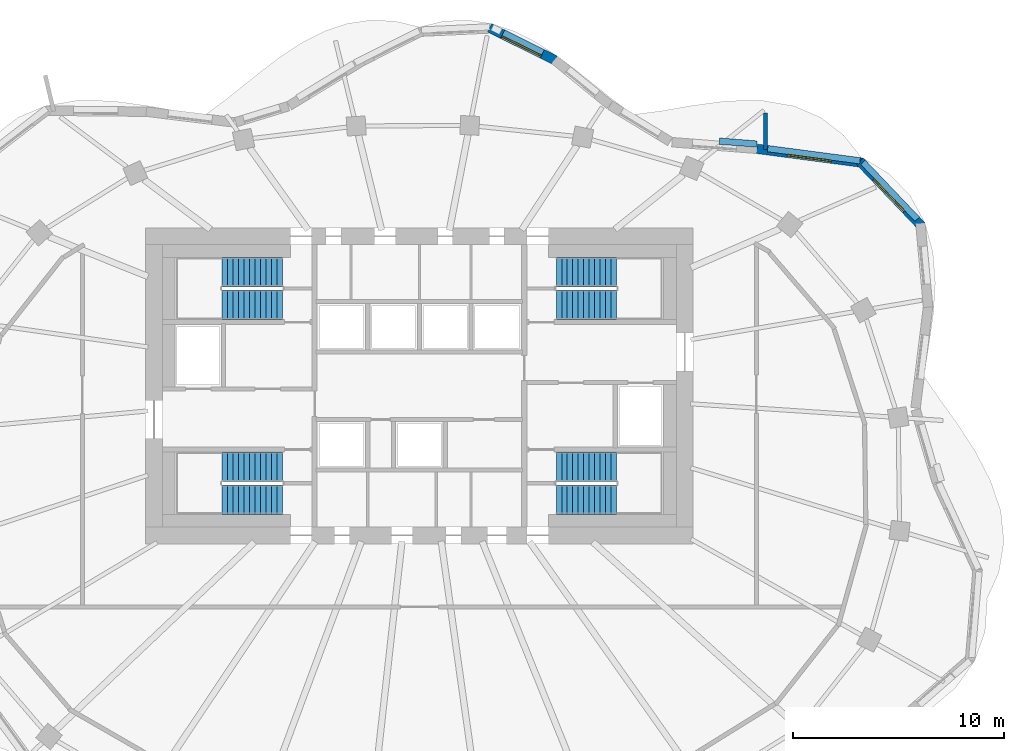
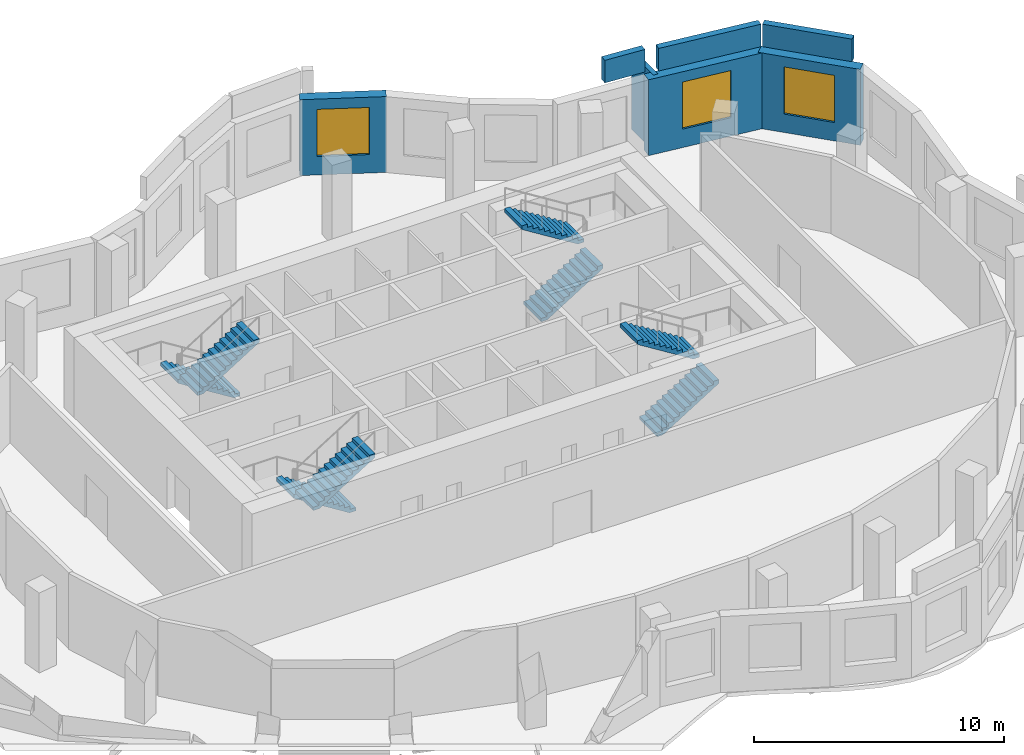
# One storey, part 7 of 8: 8 stair flights, 7 walls, 3 windows, 3 openings, 4 elements without a shape of their own.
"""IFC4 building model written with IfcOpenShell, lengths in metres."""

from ifc_helpers import new_model, si_unit, direction, frame, frame_2d, origin, place, context, subcontext, project, spatial, polyline, rectangle, outline, extrude, material, layer, layer_set, type_object, element, fill, aggregate, save


model = new_model("IFC4")

# Units and contexts
model_context = context("Model", 3, precision=1e-05, world=origin(), true_north=direction((0.0, 1.0)))
body_context = subcontext(model_context, "Body", "Model", "MODEL_VIEW")
ifc_project = project(units=[si_unit("LENGTHUNIT", "METRE"), si_unit("AREAUNIT", "SQUARE_METRE"), si_unit("VOLUMEUNIT", "CUBIC_METRE"), si_unit("PLANEANGLEUNIT", "RADIAN"), si_unit("MASSUNIT", "GRAM", prefix="KILO")], contexts=[model_context])

# Site, building, storey
site_placement = place(None, origin())
site = spatial("IfcSite", under=ifc_project, at=site_placement, CompositionType="ELEMENT")
building_placement = place(site_placement, origin())
building = spatial("IfcBuilding", under=site, at=building_placement, Name="Rubra Terraces Tower", CompositionType="ELEMENT")
storey_placement = place(building_placement, frame((0.0, 0.0, 280.5)))
storey = spatial("IfcBuildingStorey", under=building, at=storey_placement, Name="L69", CompositionType="ELEMENT", Elevation=280.5)

# Wall, opening, window
ifc_material_1 = material(Name="Brick masonry red-brown", Category="masonry")
ifc_layer_1 = layer(ifc_material_1, 0.449951171875)
ifc_layer_set_1 = layer_set([ifc_layer_1], Name="Brick masonry red-brown")
wall_type_1 = type_object("IfcWallType", Name="Brick facade wall 450", PredefinedType="SOLIDWALL", material=ifc_layer_set_1)
wall_1_placement = place(storey_placement, frame((23.84912109375, 12.07958984375, 0.0), z_axis=(0.0, 0.0, 1.0), x_axis=(-0.690057851873, 0.723754213161, 0.0)))
wall_1 = element("IfcWall", 1, at=wall_1_placement, inside=storey, type_object=wall_type_1, Name="Facade wall L69 bay 4", PredefinedType="SOLIDWALL", context=body_context, shape_type="SweptSolid", body=[
    extrude(rectangle(XDim=4.2529296875, YDim=0.449951171875, at=frame_2d((2.12646484375, 0.0))), origin(), (0.0, 0.0, 1.0), 3.699951171875),
])
opening_1_placement = place(wall_1_placement, frame((1.076416015625, 0.0, 0.89990234375)))
opening_1 = element("IfcOpeningElement", 2, at=opening_1_placement, cuts=wall_1, Name="Opening W1B", PredefinedType="OPENING", context=body_context, shape_type="SweptSolid", body=[
    extrude(rectangle(XDim=2.10009765625, YDim=2.300048828125, at=frame_2d((1.050048828125, 1.14990234375))), frame((0.0, 0.23486328125, 0.0), z_axis=(0.0, -1.0, 0.0), x_axis=(1.0, 0.0, 0.0)), (0.0, 0.0, 1.0), 0.469970703125),
])
ifc_material_2 = material(Name="Clear glass in aluminium frame", Category="aluminium")
window_type = type_object("IfcWindowType", Name="Fixed deep-set window tall storey 2100 x 2300", PartitioningType="SINGLE_PANEL", PredefinedType="WINDOW", material=ifc_material_2)
window_1_placement = place(opening_1_placement, origin())
window_1 = element("IfcWindow", 3, at=window_1_placement, inside=storey, type_object=window_type, Name="Window L69 bay 4", OverallHeight=2.300048828125, OverallWidth=2.10009765625, PartitioningType="SINGLE_PANEL", PredefinedType="WINDOW", context=body_context, shape_type="SweptSolid", body=[
    extrude(rectangle(XDim=2.10009765625, YDim=2.300048828125, at=frame_2d((1.050048828125, 1.14990234375))), frame((0.0, 0.135009765625, 0.0), z_axis=(0.0, -1.0, 0.0), x_axis=(1.0, 0.0, 0.0)), (0.0, 0.0, 1.0), 0.06005859375),
])
fill(opening_1, window_1)

wall_2_placement = place(storey_placement, frame((21.043701171875, 15.090576171875, 0.0), z_axis=(0.0, 0.0, 1.0), x_axis=(-0.991409967396, 0.130790965086, 0.0)))
wall_2 = element("IfcWall", 4, at=wall_2_placement, inside=storey, type_object=wall_type_1, Name="Facade wall L69 bay 5", PredefinedType="SOLIDWALL", context=body_context, shape_type="SweptSolid", body=[
    extrude(rectangle(XDim=5.06787109375, YDim=0.449951171875, at=frame_2d((2.533935546875, 0.0))), origin(), (0.0, 0.0, 1.0), 3.699951171875),
])
opening_2_placement = place(wall_2_placement, frame((1.48388671875, 0.0, 0.89990234375)))
opening_2 = element("IfcOpeningElement", 5, at=opening_2_placement, cuts=wall_2, Name="Opening W1B", PredefinedType="OPENING", context=body_context, shape_type="SweptSolid", body=[
    extrude(rectangle(XDim=2.10009765625, YDim=2.300048828125, at=frame_2d((1.050048828125, 1.14990234375))), frame((0.0, 0.23486328125, 0.0), z_axis=(0.0, -1.0, 0.0), x_axis=(1.0, 0.0, 0.0)), (0.0, 0.0, 1.0), 0.469970703125),
])
window_2_placement = place(opening_2_placement, origin())
window_2 = element("IfcWindow", 6, at=window_2_placement, inside=storey, type_object=window_type, Name="Window L69 bay 5", OverallHeight=2.300048828125, OverallWidth=2.10009765625, PartitioningType="SINGLE_PANEL", PredefinedType="WINDOW", context=body_context, shape_type="SweptSolid", body=[
    extrude(rectangle(XDim=2.10009765625, YDim=2.300048828125, at=frame_2d((1.050048828125, 1.14990234375))), frame((0.0, 0.135009765625, 0.0), z_axis=(0.0, -1.0, 0.0), x_axis=(1.0, 0.0, 0.0)), (0.0, 0.0, 1.0), 0.06005859375),
])
fill(opening_2, window_2)

wall_3_placement = place(storey_placement, frame((6.4501953125, 19.958251953125, 0.0), z_axis=(0.0, 0.0, 1.0), x_axis=(-0.896526715328, 0.442989671103, 0.0)))
wall_3 = element("IfcWall", 7, at=wall_3_placement, inside=storey, type_object=wall_type_1, Name="Facade wall L69 bay 9", PredefinedType="SOLIDWALL", context=body_context, shape_type="SweptSolid", body=[
    extrude(rectangle(XDim=3.47216796875, YDim=0.449951171875, at=frame_2d((1.736083984375, 0.0))), origin(), (0.0, 0.0, 1.0), 3.699951171875),
])
opening_3_placement = place(wall_3_placement, frame((0.68603515625, 0.0, 0.89990234375)))
opening_3 = element("IfcOpeningElement", 8, at=opening_3_placement, cuts=wall_3, Name="Opening W1B", PredefinedType="OPENING", context=body_context, shape_type="SweptSolid", body=[
    extrude(rectangle(XDim=2.10009765625, YDim=2.300048828125, at=frame_2d((1.050048828125, 1.14990234375))), frame((0.0, 0.23486328125, 0.0), z_axis=(0.0, -1.0, 0.0), x_axis=(1.0, 0.0, 0.0)), (0.0, 0.0, 1.0), 0.469970703125),
])
window_3_placement = place(opening_3_placement, origin())
window_3 = element("IfcWindow", 9, at=window_3_placement, inside=storey, type_object=window_type, Name="Window L69 bay 9", OverallHeight=2.300048828125, OverallWidth=2.10009765625, PartitioningType="SINGLE_PANEL", PredefinedType="WINDOW", context=body_context, shape_type="SweptSolid", body=[
    extrude(rectangle(XDim=2.10009765625, YDim=2.300048828125, at=frame_2d((1.050048828125, 1.14990234375))), frame((0.0, 0.135009765625, 0.0), z_axis=(0.0, -1.0, 0.0), x_axis=(1.0, 0.0, 0.0)), (0.0, 0.0, 1.0), 0.06005859375),
])
fill(opening_3, window_3)

# Walls
ifc_layer_2 = layer(ifc_material_1, 0.300048828125)
ifc_layer_set_2 = layer_set([ifc_layer_2], Name="Brick masonry red-brown")
wall_type_2 = type_object("IfcWallType", Name="Brick parapet 300", PredefinedType="PARAPET", material=ifc_layer_set_2)
wall_4_placement = place(storey_placement, frame((23.6396484375, 12.408203125, 3.89990234375), z_axis=(0.0, 0.0, 1.0), x_axis=(-0.690141419558, 0.723674526987, 0.0)))
element("IfcWall", 10, at=wall_4_placement, inside=storey, type_object=wall_type_2, Name="Parapet L69 bay 4", PredefinedType="PARAPET", context=body_context, shape_type="SweptSolid", body=[
    extrude(rectangle(XDim=3.73486328125, YDim=0.300048828125, at=frame_2d((1.867431640625, 0.0))), origin(), (0.0, 0.0, 1.0), 1.10009765625),
])
wall_5_placement = place(storey_placement, frame((20.922607421875, 15.18212890625, 3.89990234375), z_axis=(0.0, 0.0, 1.0), x_axis=(-0.991411041714, 0.130782821377, 0.0)))
element("IfcWall", 11, at=wall_5_placement, inside=storey, type_object=wall_type_2, Name="Parapet L69 bay 5", PredefinedType="PARAPET", context=body_context, shape_type="SweptSolid", body=[
    extrude(rectangle(XDim=4.42431640625, YDim=0.300048828125, at=frame_2d((2.212158203125, 0.0))), origin(), (0.0, 0.0, 1.0), 1.10009765625),
])
wall_6_placement = place(storey_placement, frame((16.018798828125, 15.978515625, 3.89990234375), z_axis=(0.0, 0.0, 1.0), x_axis=(-0.99696580474, 0.077840761676, 0.0)))
element("IfcWall", 12, at=wall_6_placement, inside=storey, type_object=wall_type_2, Name="Parapet L69 bay 6", PredefinedType="PARAPET", context=body_context, shape_type="SweptSolid", body=[
    extrude(rectangle(XDim=1.7783203125, YDim=0.300048828125, at=frame_2d((0.88916015625, 0.0))), origin(), (0.0, 0.0, 1.0), 1.10009765625),
])
ifc_layer_3 = layer(ifc_material_1, 0.199951171875)
ifc_layer_set_3 = layer_set([ifc_layer_3], Name="Brick masonry red-brown")
wall_type_3 = type_object("IfcWallType", Name="Brick wind fin 200", PredefinedType="SOLIDWALL", material=ifc_layer_set_3)
wall_7_placement = place(storey_placement, frame((16.43505859375, 15.7119140625, 0.0), z_axis=(0.0, 0.0, 1.0), x_axis=(-0.000279017846, 0.999999961075, 0.0)))
element("IfcWall", 13, at=wall_7_placement, inside=storey, type_object=wall_type_3, Name="Wind fin L69 3", PredefinedType="SOLIDWALL", context=body_context, shape_type="SweptSolid", body=[
    extrude(rectangle(XDim=1.75, YDim=0.199951171875, at=frame_2d((0.875, 0.0))), origin(), (0.0, 0.0, 1.0), 3.699951171875),
])

# Stair, stair flights
ifc_material_3 = material(Name="Concrete C40", Category="concrete")
stair_type = type_object("IfcStairType", Name="Core stair 1400", PredefinedType="HALF_TURN_STAIR", material=ifc_material_3)
stair_1_placement = place(storey_placement, origin())
stair_1 = element("IfcStair", 14, at=stair_1_placement, inside=storey, type_object=stair_type, Name="L69 Exit stair S1", PredefinedType="HALF_TURN_STAIR")
stair_flight_type = type_object("IfcStairFlightType", Name="Core stair flight 1400", PredefinedType="STRAIGHT", material=ifc_material_3)
stair_flight_1_placement = place(storey_placement, frame((-6.5, 0.64990234375, 0.0), z_axis=(0.0, 0.0, 1.0), x_axis=(-1.0, 0.0, 0.0)))
stair_flight_1 = element("IfcStairFlight", 15, at=stair_flight_1_placement, type_object=stair_flight_type, Name="S1 flight 1", NumberOfRisers=12, NumberOfTreads=11, PredefinedType="STRAIGHT", RiserHeight=0.1625, TreadLength=0.26, context=body_context, shape_type="SweptSolid", body=[
    extrude(outline(polyline([(0.0, 0.0), (0.0, 0.16259765625), (0.260009765625, 0.16259765625), (0.260009765625, 0.324951171875), (0.52001953125, 0.324951171875), (0.52001953125, 0.487548828125), (0.780029296875, 0.487548828125), (0.780029296875, 0.64990234375), (1.0400390625, 0.64990234375), (1.0400390625, 0.8125), (1.300048828125, 0.8125), (1.300048828125, 0.97509765625), (1.56005859375, 0.97509765625), (1.56005859375, 1.137451171875), (1.820068359375, 1.137451171875), (1.820068359375, 1.300048828125), (2.080078125, 1.300048828125), (2.080078125, 1.46240234375), (2.340087890625, 1.46240234375), (2.340087890625, 1.625), (2.60009765625, 1.625), (2.60009765625, 1.78759765625), (2.860107421875, 1.78759765625), (2.860107421875, 1.949951171875), (2.860107421875, 1.61083984375), (0.28271484375, 0.0), (0.0, 0.0)])), frame((0.0, 0.699951171875, 0.0), z_axis=(0.0, -1.0, 0.0), x_axis=(1.0, 0.0, 0.0)), (0.0, 0.0, 1.0), 1.39990234375),
])
stair_flight_2_placement = place(storey_placement, frame((-9.360107421875, -0.89990234375, 1.949951171875), z_axis=(0.0, 0.0, 1.0), x_axis=(1.0, 0.0, 0.0)))
stair_flight_2 = element("IfcStairFlight", 16, at=stair_flight_2_placement, type_object=stair_flight_type, Name="S1 flight 2", NumberOfRisers=12, NumberOfTreads=11, PredefinedType="STRAIGHT", RiserHeight=0.1625, TreadLength=0.26, context=body_context, shape_type="SweptSolid", body=[
    extrude(outline(polyline([(0.0, 0.0), (0.0, 0.16259765625), (0.260009765625, 0.16259765625), (0.260009765625, 0.324951171875), (0.52001953125, 0.324951171875), (0.52001953125, 0.487548828125), (0.780029296875, 0.487548828125), (0.780029296875, 0.64990234375), (1.0400390625, 0.64990234375), (1.0400390625, 0.8125), (1.300048828125, 0.8125), (1.300048828125, 0.97509765625), (1.56005859375, 0.97509765625), (1.56005859375, 1.137451171875), (1.820068359375, 1.137451171875), (1.820068359375, 1.300048828125), (2.080078125, 1.300048828125), (2.080078125, 1.46240234375), (2.340087890625, 1.46240234375), (2.340087890625, 1.625), (2.60009765625, 1.625), (2.60009765625, 1.78759765625), (2.860107421875, 1.78759765625), (2.860107421875, 1.949951171875), (2.860107421875, 1.61083984375), (0.28271484375, 0.0), (0.0, 0.0)])), frame((0.0, 0.699951171875, 0.0), z_axis=(0.0, -1.0, 0.0), x_axis=(1.0, 0.0, 0.0)), (0.0, 0.0, 1.0), 1.39990234375),
])
aggregate(stair_1, [stair_flight_1, stair_flight_2])

stair_2_placement = place(storey_placement, origin())
stair_2 = element("IfcStair", 17, at=stair_2_placement, inside=storey, type_object=stair_type, Name="L69 Exit stair S2", PredefinedType="HALF_TURN_STAIR")
stair_flight_3_placement = place(storey_placement, frame((-6.5, 9.89990234375, 0.0), z_axis=(0.0, 0.0, 1.0), x_axis=(-1.0, 0.0, 0.0)))
stair_flight_3 = element("IfcStairFlight", 18, at=stair_flight_3_placement, type_object=stair_flight_type, Name="S2 flight 1", NumberOfRisers=12, NumberOfTreads=11, PredefinedType="STRAIGHT", RiserHeight=0.1625, TreadLength=0.26, context=body_context, shape_type="SweptSolid", body=[
    extrude(outline(polyline([(0.0, 0.0), (0.0, 0.16259765625), (0.260009765625, 0.16259765625), (0.260009765625, 0.324951171875), (0.52001953125, 0.324951171875), (0.52001953125, 0.487548828125), (0.780029296875, 0.487548828125), (0.780029296875, 0.64990234375), (1.0400390625, 0.64990234375), (1.0400390625, 0.8125), (1.300048828125, 0.8125), (1.300048828125, 0.97509765625), (1.56005859375, 0.97509765625), (1.56005859375, 1.137451171875), (1.820068359375, 1.137451171875), (1.820068359375, 1.300048828125), (2.080078125, 1.300048828125), (2.080078125, 1.46240234375), (2.340087890625, 1.46240234375), (2.340087890625, 1.625), (2.60009765625, 1.625), (2.60009765625, 1.78759765625), (2.860107421875, 1.78759765625), (2.860107421875, 1.949951171875), (2.860107421875, 1.61083984375), (0.28271484375, 0.0), (0.0, 0.0)])), frame((0.0, 0.699951171875, 0.0), z_axis=(0.0, -1.0, 0.0), x_axis=(1.0, 0.0, 0.0)), (0.0, 0.0, 1.0), 1.39990234375),
])
stair_flight_4_placement = place(storey_placement, frame((-9.360107421875, 8.35009765625, 1.949951171875), z_axis=(0.0, 0.0, 1.0), x_axis=(1.0, 0.0, 0.0)))
stair_flight_4 = element("IfcStairFlight", 19, at=stair_flight_4_placement, type_object=stair_flight_type, Name="S2 flight 2", NumberOfRisers=12, NumberOfTreads=11, PredefinedType="STRAIGHT", RiserHeight=0.1625, TreadLength=0.26, context=body_context, shape_type="SweptSolid", body=[
    extrude(outline(polyline([(0.0, 0.0), (0.0, 0.16259765625), (0.260009765625, 0.16259765625), (0.260009765625, 0.324951171875), (0.52001953125, 0.324951171875), (0.52001953125, 0.487548828125), (0.780029296875, 0.487548828125), (0.780029296875, 0.64990234375), (1.0400390625, 0.64990234375), (1.0400390625, 0.8125), (1.300048828125, 0.8125), (1.300048828125, 0.97509765625), (1.56005859375, 0.97509765625), (1.56005859375, 1.137451171875), (1.820068359375, 1.137451171875), (1.820068359375, 1.300048828125), (2.080078125, 1.300048828125), (2.080078125, 1.46240234375), (2.340087890625, 1.46240234375), (2.340087890625, 1.625), (2.60009765625, 1.625), (2.60009765625, 1.78759765625), (2.860107421875, 1.78759765625), (2.860107421875, 1.949951171875), (2.860107421875, 1.61083984375), (0.28271484375, 0.0), (0.0, 0.0)])), frame((0.0, 0.699951171875, 0.0), z_axis=(0.0, -1.0, 0.0), x_axis=(1.0, 0.0, 0.0)), (0.0, 0.0, 1.0), 1.39990234375),
])
aggregate(stair_2, [stair_flight_3, stair_flight_4])

stair_3_placement = place(storey_placement, origin())
stair_3 = element("IfcStair", 20, at=stair_3_placement, inside=storey, type_object=stair_type, Name="L69 Exit stair S3", PredefinedType="HALF_TURN_STAIR")
stair_flight_5_placement = place(storey_placement, frame((6.5, 8.35009765625, 0.0), z_axis=(0.0, 0.0, 1.0), x_axis=(1.0, 0.0, 0.0)))
stair_flight_5 = element("IfcStairFlight", 21, at=stair_flight_5_placement, type_object=stair_flight_type, Name="S3 flight 1", NumberOfRisers=12, NumberOfTreads=11, PredefinedType="STRAIGHT", RiserHeight=0.1625, TreadLength=0.26, context=body_context, shape_type="SweptSolid", body=[
    extrude(outline(polyline([(0.0, 0.0), (0.0, 0.16259765625), (0.260009765625, 0.16259765625), (0.260009765625, 0.324951171875), (0.52001953125, 0.324951171875), (0.52001953125, 0.487548828125), (0.780029296875, 0.487548828125), (0.780029296875, 0.64990234375), (1.0400390625, 0.64990234375), (1.0400390625, 0.8125), (1.300048828125, 0.8125), (1.300048828125, 0.97509765625), (1.56005859375, 0.97509765625), (1.56005859375, 1.137451171875), (1.820068359375, 1.137451171875), (1.820068359375, 1.300048828125), (2.080078125, 1.300048828125), (2.080078125, 1.46240234375), (2.340087890625, 1.46240234375), (2.340087890625, 1.625), (2.60009765625, 1.625), (2.60009765625, 1.78759765625), (2.860107421875, 1.78759765625), (2.860107421875, 1.949951171875), (2.860107421875, 1.61083984375), (0.28271484375, 0.0), (0.0, 0.0)])), frame((0.0, 0.699951171875, 0.0), z_axis=(0.0, -1.0, 0.0), x_axis=(1.0, 0.0, 0.0)), (0.0, 0.0, 1.0), 1.39990234375),
])
stair_flight_6_placement = place(storey_placement, frame((9.360107421875, 9.89990234375, 1.949951171875), z_axis=(0.0, 0.0, 1.0), x_axis=(-1.0, 0.0, 0.0)))
stair_flight_6 = element("IfcStairFlight", 22, at=stair_flight_6_placement, type_object=stair_flight_type, Name="S3 flight 2", NumberOfRisers=12, NumberOfTreads=11, PredefinedType="STRAIGHT", RiserHeight=0.1625, TreadLength=0.26, context=body_context, shape_type="SweptSolid", body=[
    extrude(outline(polyline([(0.0, 0.0), (0.0, 0.16259765625), (0.260009765625, 0.16259765625), (0.260009765625, 0.324951171875), (0.52001953125, 0.324951171875), (0.52001953125, 0.487548828125), (0.780029296875, 0.487548828125), (0.780029296875, 0.64990234375), (1.0400390625, 0.64990234375), (1.0400390625, 0.8125), (1.300048828125, 0.8125), (1.300048828125, 0.97509765625), (1.56005859375, 0.97509765625), (1.56005859375, 1.137451171875), (1.820068359375, 1.137451171875), (1.820068359375, 1.300048828125), (2.080078125, 1.300048828125), (2.080078125, 1.46240234375), (2.340087890625, 1.46240234375), (2.340087890625, 1.625), (2.60009765625, 1.625), (2.60009765625, 1.78759765625), (2.860107421875, 1.78759765625), (2.860107421875, 1.949951171875), (2.860107421875, 1.61083984375), (0.28271484375, 0.0), (0.0, 0.0)])), frame((0.0, 0.699951171875, 0.0), z_axis=(0.0, -1.0, 0.0), x_axis=(1.0, 0.0, 0.0)), (0.0, 0.0, 1.0), 1.39990234375),
])
aggregate(stair_3, [stair_flight_5, stair_flight_6])

stair_4_placement = place(storey_placement, origin())
stair_4 = element("IfcStair", 23, at=stair_4_placement, inside=storey, type_object=stair_type, Name="L69 Exit stair S4", PredefinedType="HALF_TURN_STAIR")
stair_flight_7_placement = place(storey_placement, frame((6.5, -0.89990234375, 0.0), z_axis=(0.0, 0.0, 1.0), x_axis=(1.0, 0.0, 0.0)))
stair_flight_7 = element("IfcStairFlight", 24, at=stair_flight_7_placement, type_object=stair_flight_type, Name="S4 flight 1", NumberOfRisers=12, NumberOfTreads=11, PredefinedType="STRAIGHT", RiserHeight=0.1625, TreadLength=0.26, context=body_context, shape_type="SweptSolid", body=[
    extrude(outline(polyline([(0.0, 0.0), (0.0, 0.16259765625), (0.260009765625, 0.16259765625), (0.260009765625, 0.324951171875), (0.52001953125, 0.324951171875), (0.52001953125, 0.487548828125), (0.780029296875, 0.487548828125), (0.780029296875, 0.64990234375), (1.0400390625, 0.64990234375), (1.0400390625, 0.8125), (1.300048828125, 0.8125), (1.300048828125, 0.97509765625), (1.56005859375, 0.97509765625), (1.56005859375, 1.137451171875), (1.820068359375, 1.137451171875), (1.820068359375, 1.300048828125), (2.080078125, 1.300048828125), (2.080078125, 1.46240234375), (2.340087890625, 1.46240234375), (2.340087890625, 1.625), (2.60009765625, 1.625), (2.60009765625, 1.78759765625), (2.860107421875, 1.78759765625), (2.860107421875, 1.949951171875), (2.860107421875, 1.61083984375), (0.28271484375, 0.0), (0.0, 0.0)])), frame((0.0, 0.699951171875, 0.0), z_axis=(0.0, -1.0, 0.0), x_axis=(1.0, 0.0, 0.0)), (0.0, 0.0, 1.0), 1.39990234375),
])
stair_flight_8_placement = place(storey_placement, frame((9.360107421875, 0.64990234375, 1.949951171875), z_axis=(0.0, 0.0, 1.0), x_axis=(-1.0, 0.0, 0.0)))
stair_flight_8 = element("IfcStairFlight", 25, at=stair_flight_8_placement, type_object=stair_flight_type, Name="S4 flight 2", NumberOfRisers=12, NumberOfTreads=11, PredefinedType="STRAIGHT", RiserHeight=0.1625, TreadLength=0.26, context=body_context, shape_type="SweptSolid", body=[
    extrude(outline(polyline([(0.0, 0.0), (0.0, 0.16259765625), (0.260009765625, 0.16259765625), (0.260009765625, 0.324951171875), (0.52001953125, 0.324951171875), (0.52001953125, 0.487548828125), (0.780029296875, 0.487548828125), (0.780029296875, 0.64990234375), (1.0400390625, 0.64990234375), (1.0400390625, 0.8125), (1.300048828125, 0.8125), (1.300048828125, 0.97509765625), (1.56005859375, 0.97509765625), (1.56005859375, 1.137451171875), (1.820068359375, 1.137451171875), (1.820068359375, 1.300048828125), (2.080078125, 1.300048828125), (2.080078125, 1.46240234375), (2.340087890625, 1.46240234375), (2.340087890625, 1.625), (2.60009765625, 1.625), (2.60009765625, 1.78759765625), (2.860107421875, 1.78759765625), (2.860107421875, 1.949951171875), (2.860107421875, 1.61083984375), (0.28271484375, 0.0), (0.0, 0.0)])), frame((0.0, 0.699951171875, 0.0), z_axis=(0.0, -1.0, 0.0), x_axis=(1.0, 0.0, 0.0)), (0.0, 0.0, 1.0), 1.39990234375),
])
aggregate(stair_4, [stair_flight_7, stair_flight_8])

save(model, "model.ifc")
